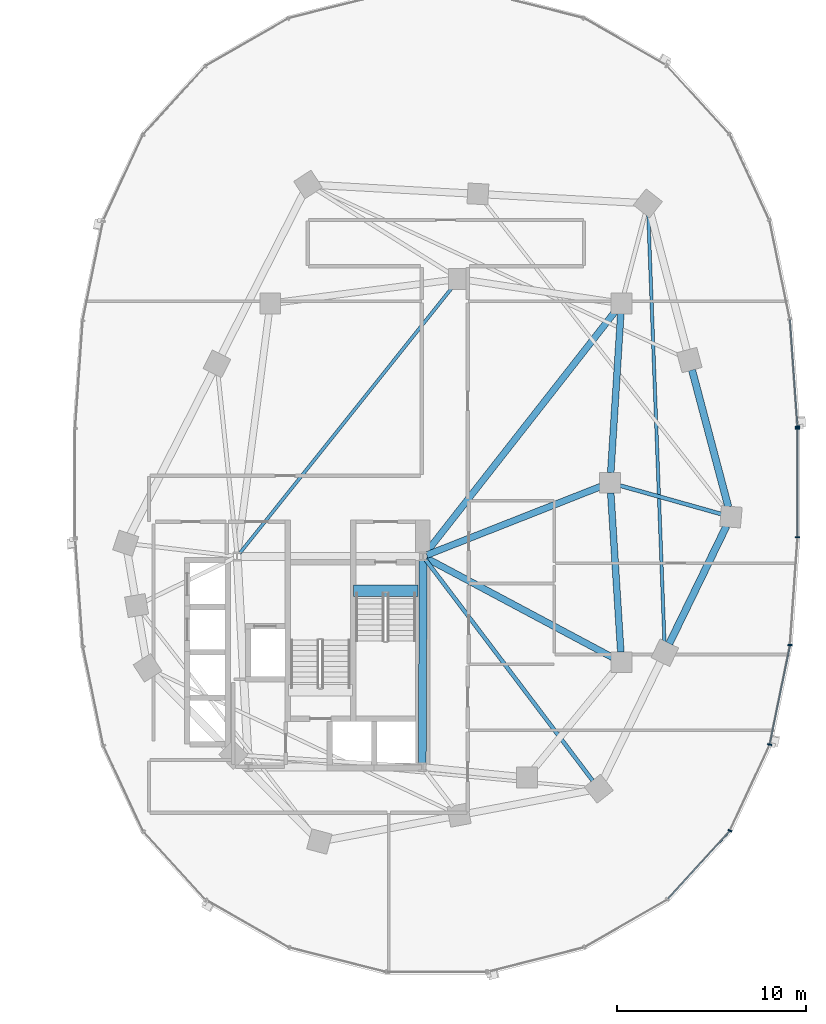
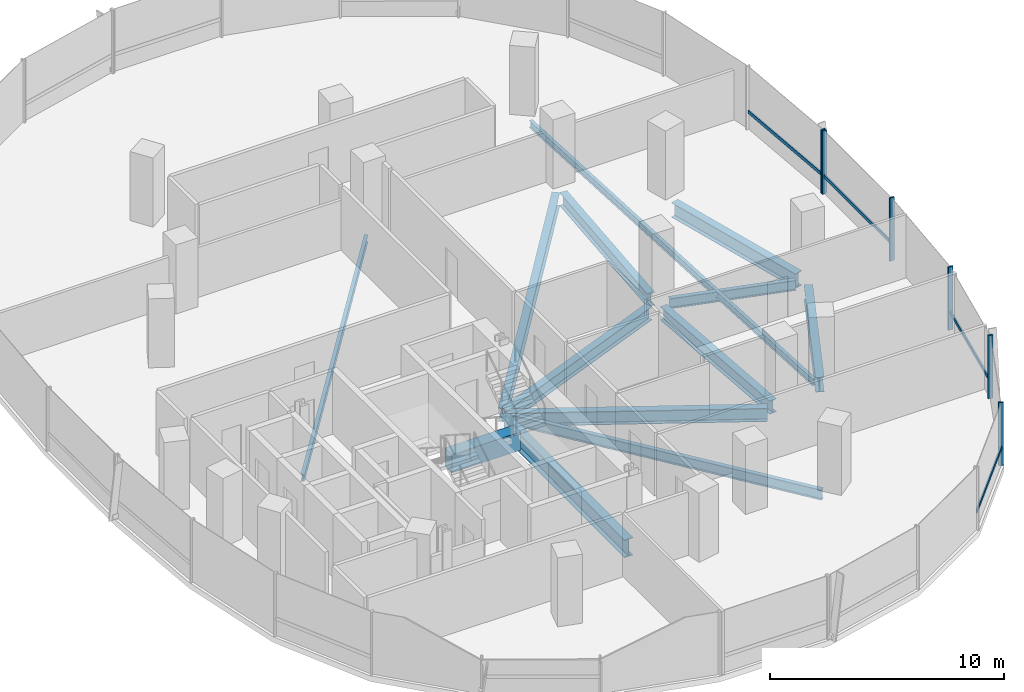
# One storey, part 6 of 21: 13 beams, 10 members, 2 elements without a shape of their own.
"""IFC4 building model written with IfcOpenShell, lengths in metres."""

from ifc_helpers import new_model, si_unit, direction, frame, origin, origin_2d, place, context, subcontext, project, spatial, rectangle, i_section, extrude, material, material_profile, profile_set, type_object, element, aggregate, save


model = new_model("IFC4")

# Units and contexts
model_context = context("Model", 3, precision=1e-05, world=origin(), true_north=direction((0.0, 1.0)))
body_context = subcontext(model_context, "Body", "Model", "MODEL_VIEW")
ifc_project = project(units=[si_unit("LENGTHUNIT", "METRE"), si_unit("AREAUNIT", "SQUARE_METRE"), si_unit("VOLUMEUNIT", "CUBIC_METRE"), si_unit("PLANEANGLEUNIT", "RADIAN"), si_unit("MASSUNIT", "GRAM", prefix="KILO"), si_unit("THERMODYNAMICTEMPERATUREUNIT", "KELVIN"), si_unit("POWERUNIT", "WATT")], contexts=[model_context])

# Site, building, storey
site_placement = place(None, origin())
site = spatial("IfcSite", under=ifc_project, at=site_placement, CompositionType="ELEMENT")
building_placement = place(site_placement, origin())
building = spatial("IfcBuilding", under=site, at=building_placement, Name="Cundina Bronze Exchange", CompositionType="ELEMENT")
storey_placement = place(building_placement, frame((0.0, 0.0, 99.800048828125)))
storey = spatial("IfcBuildingStorey", under=building, at=storey_placement, Name="L25", CompositionType="ELEMENT", Elevation=99.800048828125)

# Beams
ifc_material_1 = material(Name="Concrete C60/75", Category="concrete")
ifc_material_profile_1 = material_profile(ifc_material_1, rectangle(XDim=0.60009765625, YDim=0.949951171875, at=origin_2d()), Name="RC600X950", Category="concrete")
ifc_profile_set_1 = profile_set([ifc_material_profile_1], Name="Concrete C60/75")
beam_type_1 = type_object("IfcBeamType", Name="BM-COUP-RC950", PredefinedType="LINTEL", material=ifc_profile_set_1)
beam_1_placement = place(storey_placement, frame((27.6201171875, -5.719970703125, -0.47509765625), z_axis=(1.0, 0.0, 0.0), x_axis=(0.0, 1.0, 0.0)))
element("IfcBeam", 1, at=beam_1_placement, inside=storey, type_object=beam_type_1, Name="L25 Stair E1 Landing Header Beam", PredefinedType="LINTEL", context=body_context, shape_type="SweptSolid", body=[
    extrude(rectangle(XDim=0.60009765625, YDim=0.949951171875, at=origin_2d()), origin(), (0.0, 0.0, 1.0), 3.39990234375),
])
ifc_material_2 = material(Name="Steel ASTM A992 Grade 50", Category="steel")
ifc_material_profile_2 = material_profile(ifc_material_2, i_section(OverallWidth=0.2099609375, OverallDepth=0.532958984375, WebThickness=0.01025390625, FlangeThickness=0.015625, FilletRadius=0.013916015625, at=origin_2d()), Name="W21X62", Category="steel")
ifc_profile_set_2 = profile_set([ifc_material_profile_2], Name="Steel ASTM A992 Grade 50")
beam_type_2 = type_object("IfcBeamType", Name="BM-FLR-W21B", PredefinedType="BEAM", material=ifc_profile_set_2)
beam_2_placement = place(storey_placement, frame((31.423095703125, -4.062744140625, -0.566650390625), z_axis=(0.603095885041, -0.797668699052, 0.0), x_axis=(0.797668699052, 0.603095885041, 0.0)))
element("IfcBeam", 2, at=beam_2_placement, inside=storey, type_object=beam_type_2, Name="L25 Leg E Chordal Floor Beam 06", PredefinedType="BEAM", context=body_context, shape_type="SweptSolid", body=[
    extrude(i_section(OverallWidth=0.2099609375, OverallDepth=0.532958984375, WebThickness=0.01025390625, FlangeThickness=0.015625, FilletRadius=0.013916015625, at=origin_2d()), origin(), (0.0, 0.0, 1.0), 14.677978515625),
])
beam_3_placement = place(storey_placement, frame((41.718017578125, -0.145751953125, -0.566650390625), z_axis=(0.962654865541, -0.270731619598, 0.0), x_axis=(0.270731619598, 0.962654865541, 0.0)))
element("IfcBeam", 3, at=beam_3_placement, inside=storey, type_object=beam_type_2, Name="L25 Leg E Chordal Floor Beam 08", PredefinedType="BEAM", context=body_context, shape_type="SweptSolid", body=[
    extrude(i_section(OverallWidth=0.2099609375, OverallDepth=0.532958984375, WebThickness=0.01025390625, FlangeThickness=0.015625, FilletRadius=0.013916015625, at=origin_2d()), origin(), (0.0, 0.0, 1.0), 5.572021484375),
])
ifc_material_profile_3 = material_profile(ifc_material_2, i_section(OverallWidth=0.172119140625, OverallDepth=0.35791015625, WebThickness=0.0078125, FlangeThickness=0.01318359375, FilletRadius=0.010009765625, at=origin_2d()), Name="W14X38", Category="steel")
ifc_profile_set_3 = profile_set([ifc_material_profile_3], Name="Steel ASTM A992 Grade 50")
beam_type_3 = type_object("IfcBeamType", Name="BM-JST-W14", PredefinedType="JOIST", material=ifc_profile_set_3)
beam_4_placement = place(storey_placement, frame((21.577392578125, -3.740478515625, -0.47900390625), z_axis=(0.62436887964, 0.781129632095, 0.0), x_axis=(-0.781129632095, 0.62436887964, 0.0)))
element("IfcBeam", 4, at=beam_4_placement, inside=storey, type_object=beam_type_3, Name="L25 E Interior Core-to-Ring Joist 2", PredefinedType="JOIST", context=body_context, shape_type="SweptSolid", body=[
    extrude(i_section(OverallWidth=0.172119140625, OverallDepth=0.35791015625, WebThickness=0.0078125, FlangeThickness=0.01318359375, FilletRadius=0.010009765625, at=origin_2d()), origin(), (0.0, 0.0, 1.0), 18.076904296875),
])
beam_5_placement = place(storey_placement, frame((44.07958984375, -8.46240234375, -0.47900390625), z_axis=(-0.03778951385, 0.999285721224, 0.0), x_axis=(-0.999285721224, -0.03778951385, 0.0)))
element("IfcBeam", 5, at=beam_5_placement, inside=storey, type_object=beam_type_3, Name="L25 Leg E Lobe Floor Joist 07-10", PredefinedType="JOIST", context=body_context, shape_type="SweptSolid", body=[
    extrude(i_section(OverallWidth=0.172119140625, OverallDepth=0.35791015625, WebThickness=0.0078125, FlangeThickness=0.01318359375, FilletRadius=0.010009765625, at=origin_2d()), origin(), (0.0, 0.0, 1.0), 22.7412109375),
])
ifc_material_profile_4 = material_profile(ifc_material_2, i_section(OverallWidth=0.35498046875, OverallDepth=0.695068359375, WebThickness=0.015380859375, FlangeThickness=0.02490234375, FilletRadius=0.01806640625, at=origin_2d()), Name="W27X146", Category="steel")
ifc_profile_set_4 = profile_set([ifc_material_profile_4], Name="Steel ASTM A992 Grade 50")
beam_type_4 = type_object("IfcBeamType", Name="BM-RING-W27", PredefinedType="USERDEFINED", material=ifc_profile_set_4)
for number, where, z_axis, x_axis, name in (
    (6, (41.76611328125, -8.963134765625, -0.6474609375), (-0.06303715519, 0.998011180832, 0.0), (-0.998011180832, -0.06303715519, 0.0), "L25 E Inner Structural Ring Girder 03"),
    (7, (41.23388671875, 0.536865234375, -0.6474609375), (0.06303715519, 0.998011180832, 0.0), (-0.998011180832, 0.06303715519, 0.0), "L25 E Inner Structural Ring Girder 04"),
):
    element("IfcBeam", number, at=place(storey_placement, frame(where, z_axis=z_axis, x_axis=x_axis)), inside=storey, type_object=beam_type_4, Name=name, ObjectType="GIRDER", PredefinedType="USERDEFINED", context=body_context, shape_type="SweptSolid", body=[
        extrude(i_section(OverallWidth=0.35498046875, OverallDepth=0.695068359375, WebThickness=0.015380859375, FlangeThickness=0.02490234375, FilletRadius=0.01806640625, at=origin_2d()), origin(), (0.0, 0.0, 1.0), 8.443115234375),
    ])
beam_6_placement = place(storey_placement, frame((31.48974609375, -3.8251953125, -0.6474609375), z_axis=(0.930413235418, 0.366512225388, 0.0), x_axis=(-0.366512225388, 0.930413235418, 0.0)))
element("IfcBeam", 8, at=beam_6_placement, inside=storey, type_object=beam_type_4, Name="L25 E Core-to-Waist Tie Beam 1", ObjectType="GIRDER", PredefinedType="USERDEFINED", context=body_context, shape_type="SweptSolid", body=[
    extrude(i_section(OverallWidth=0.35498046875, OverallDepth=0.695068359375, WebThickness=0.015380859375, FlangeThickness=0.02490234375, FilletRadius=0.01806640625, at=origin_2d()), origin(), (0.0, 0.0, 1.0), 9.8984375),
])
beam_7_placement = place(storey_placement, frame((31.47998046875, -3.99609375, -0.6474609375), z_axis=(0.882354758239, -0.470584828286, 0.0), x_axis=(0.470584828286, 0.882354758239, 0.0)))
element("IfcBeam", 9, at=beam_7_placement, inside=storey, type_object=beam_type_4, Name="L25 E Core-to-Waist Tie Beam 2", ObjectType="GIRDER", PredefinedType="USERDEFINED", context=body_context, shape_type="SweptSolid", body=[
    extrude(i_section(OverallWidth=0.35498046875, OverallDepth=0.695068359375, WebThickness=0.015380859375, FlangeThickness=0.02490234375, FilletRadius=0.01806640625, at=origin_2d()), origin(), (0.0, 0.0, 1.0), 11.157958984375),
])
beam_8_placement = place(storey_placement, frame((31.42578125, -3.739501953125, -0.6474609375), z_axis=(0.616789275748, 0.787128318206, 0.0), x_axis=(-0.787128318206, 0.616789275748, 0.0)))
element("IfcBeam", 10, at=beam_8_placement, inside=storey, type_object=beam_type_4, Name="L25 E Core-to-Waist Tie Beam 3", ObjectType="GIRDER", PredefinedType="USERDEFINED", context=body_context, shape_type="SweptSolid", body=[
    extrude(i_section(OverallWidth=0.35498046875, OverallDepth=0.695068359375, WebThickness=0.015380859375, FlangeThickness=0.02490234375, FilletRadius=0.01806640625, at=origin_2d()), origin(), (0.0, 0.0, 1.0), 16.281982421875),
])
ifc_material_profile_5 = material_profile(ifc_material_2, i_section(OverallWidth=0.381103515625, OverallDepth=0.77294921875, WebThickness=0.0166015625, FlangeThickness=0.027099609375, FilletRadius=0.01904296875, at=origin_2d()), Name="W30X173", Category="steel")
ifc_profile_set_5 = profile_set([ifc_material_profile_5], Name="Steel ASTM A992 Grade 50")
beam_type_5 = type_object("IfcBeamType", Name="BM-RING-W30", PredefinedType="USERDEFINED", material=ifc_profile_set_5)
beam_9_placement = place(storey_placement, frame((44.335205078125, -8.51611328125, -0.6865234375), z_axis=(0.437193894283, 0.899367276924, 0.0), x_axis=(-0.899367276924, 0.437193894283, 0.0)))
element("IfcBeam", 11, at=beam_9_placement, inside=storey, type_object=beam_type_5, Name="L25 E Perimeter Ring Girder 07", ObjectType="GIRDER", PredefinedType="USERDEFINED", context=body_context, shape_type="SweptSolid", body=[
    extrude(i_section(OverallWidth=0.381103515625, OverallDepth=0.77294921875, WebThickness=0.0166015625, FlangeThickness=0.027099609375, FilletRadius=0.01904296875, at=origin_2d()), origin(), (0.0, 0.0, 1.0), 6.929443359375),
])
beam_10_placement = place(storey_placement, frame((47.462158203125, -1.280029296875, -0.6865234375), z_axis=(-0.256209719931, 0.966621218168, 0.0), x_axis=(-0.966621218168, -0.256209719931, 0.0)))
element("IfcBeam", 12, at=beam_10_placement, inside=storey, type_object=beam_type_5, Name="L25 E Perimeter Ring Girder 08", ObjectType="GIRDER", PredefinedType="USERDEFINED", context=body_context, shape_type="SweptSolid", body=[
    extrude(i_section(OverallWidth=0.381103515625, OverallDepth=0.77294921875, WebThickness=0.0166015625, FlangeThickness=0.027099609375, FilletRadius=0.01904296875, at=origin_2d()), origin(), (0.0, 0.0, 1.0), 7.5107421875),
])
ifc_material_profile_6 = material_profile(ifc_material_2, i_section(OverallWidth=0.41796875, OverallDepth=0.927001953125, WebThickness=0.019287109375, FlangeThickness=0.031982421875, FilletRadius=0.02392578125, at=origin_2d()), Name="W36X231", Category="steel")
ifc_profile_set_6 = profile_set([ifc_material_profile_6], Name="Steel ASTM A992 Grade 50")
beam_type_6 = type_object("IfcBeamType", Name="BM-WRN-W36B", PredefinedType="USERDEFINED", material=ifc_profile_set_6)
beam_11_placement = place(storey_placement, frame((31.2509765625, -14.845947265625, -0.763427734375), z_axis=(0.004477329608, 0.99998997671, 0.0), x_axis=(-0.99998997671, 0.004477329608, 0.0)))
element("IfcBeam", 13, at=beam_11_placement, inside=storey, type_object=beam_type_6, Name="L25 E Core Perimeter Tie Girder 4", ObjectType="GIRDER", PredefinedType="USERDEFINED", context=body_context, shape_type="SweptSolid", body=[
    extrude(i_section(OverallWidth=0.41796875, OverallDepth=0.927001953125, WebThickness=0.019287109375, FlangeThickness=0.031982421875, FilletRadius=0.02392578125, at=origin_2d()), origin(), (0.0, 0.0, 1.0), 10.741943359375),
])

# Curtain wall, member
ifc_material_3 = material(Name="Anodised Bronze Aluminium 6063-T6", Category="aluminium")
curtain_wall_type = type_object("IfcCurtainWallType", Name="CWS-TRD-MID", PredefinedType="NOTDEFINED", material=ifc_material_3)
curtain_wall_1_placement = place(storey_placement, origin())
curtain_wall_1 = element("IfcCurtainWall", 14, at=curtain_wall_1_placement, inside=storey, type_object=curtain_wall_type, Name="L25 CW-03 Curtain Wall Run CWR-L25-E1", PredefinedType="NOTDEFINED")
ifc_material_profile_7 = material_profile(ifc_material_3, rectangle(XDim=0.074951171875, YDim=0.219970703125, at=origin_2d()), Name="AL75X220", Category="aluminium")
ifc_profile_set_7 = profile_set([ifc_material_profile_7], Name="Anodised Bronze Aluminium 6063-T6")
member_type_1 = type_object("IfcMemberType", Name="CWM-MUL-220", PredefinedType="MULLION", material=ifc_profile_set_7)
member_1_placement = place(storey_placement, frame((51.12451171875, 2.976318359375, 0.0), z_axis=(0.0, 0.0, 1.0), x_axis=(-0.070278787473, 0.997527389113, 0.0)))
member_1 = element("IfcMember", 15, at=member_1_placement, type_object=member_type_1, Name="CW-03 Mullion 1", PredefinedType="MULLION", context=body_context, shape_type="SweptSolid", body=[
    extrude(rectangle(XDim=0.074951171875, YDim=0.219970703125, at=origin_2d()), origin(), (0.0, 0.0, 1.0), 3.300048828125),
])

# Curtain wall, members
curtain_wall_2_placement = place(storey_placement, origin())
curtain_wall_2 = element("IfcCurtainWall", 16, at=curtain_wall_2_placement, inside=storey, type_object=curtain_wall_type, Name="L25 CW-03 Curtain Wall Run CWR-L25-E4", PredefinedType="NOTDEFINED")
member_2_placement = place(storey_placement, frame((47.544189453125, -18.423583984375, 0.0), z_axis=(0.0, 0.0, 1.0), x_axis=(0.42087749791, 0.907117485088, 0.0)))
member_2 = element("IfcMember", 17, at=member_2_placement, type_object=member_type_1, Name="CW-03 Mullion 4", PredefinedType="MULLION", context=body_context, shape_type="SweptSolid", body=[
    extrude(rectangle(XDim=0.074951171875, YDim=0.219970703125, at=origin_2d()), origin(), (0.0, 0.0, 1.0), 3.300048828125),
])
member_3_placement = place(storey_placement, frame((49.651123046875, -13.861328125, 0.0), z_axis=(0.0, 0.0, 1.0), x_axis=(0.201419845156, 0.979505000486, 0.0)))
member_3 = element("IfcMember", 18, at=member_3_placement, type_object=member_type_1, Name="CW-03 Mullion 5", PredefinedType="MULLION", context=body_context, shape_type="SweptSolid", body=[
    extrude(rectangle(XDim=0.074951171875, YDim=0.219970703125, at=origin_2d()), origin(), (0.0, 0.0, 1.0), 3.300048828125),
])
member_4_placement = place(storey_placement, frame((50.72900390625, -8.591552734375, 0.0), z_axis=(0.0, 0.0, 1.0), x_axis=(0.070278787473, 0.997527389113, 0.0)))
member_4 = element("IfcMember", 19, at=member_4_placement, type_object=member_type_1, Name="CW-03 Mullion 6", PredefinedType="MULLION", context=body_context, shape_type="SweptSolid", body=[
    extrude(rectangle(XDim=0.074951171875, YDim=0.219970703125, at=origin_2d()), origin(), (0.0, 0.0, 1.0), 3.300048828125),
])
member_5_placement = place(storey_placement, frame((51.1279296875, -2.880615234375, 0.0), z_axis=(0.0, 0.0, 1.0), x_axis=(0.0, 1.0, 0.0)))
member_5 = element("IfcMember", 20, at=member_5_placement, type_object=member_type_1, Name="CW-03 Mullion 7", PredefinedType="MULLION", context=body_context, shape_type="SweptSolid", body=[
    extrude(rectangle(XDim=0.074951171875, YDim=0.219970703125, at=origin_2d()), origin(), (0.0, 0.0, 1.0), 3.300048828125),
])
member_6_placement = place(storey_placement, frame((51.1279296875, 2.880615234375, 0.0), z_axis=(0.0, 0.0, 1.0), x_axis=(0.0, 1.0, 0.0)))
member_6 = element("IfcMember", 21, at=member_6_placement, type_object=member_type_1, Name="CW-03 End Mullion", PredefinedType="MULLION", context=body_context, shape_type="SweptSolid", body=[
    extrude(rectangle(XDim=0.074951171875, YDim=0.219970703125, at=origin_2d()), origin(), (0.0, 0.0, 1.0), 3.300048828125),
])

# Member
ifc_material_profile_8 = material_profile(ifc_material_3, rectangle(XDim=0.070068359375, YDim=0.179931640625, at=origin_2d()), Name="AL70X180", Category="aluminium")
ifc_profile_set_8 = profile_set([ifc_material_profile_8], Name="Anodised Bronze Aluminium 6063-T6")
member_type_2 = type_object("IfcMemberType", Name="CWM-TRN-180", PredefinedType="USERDEFINED", material=ifc_profile_set_8)
member_7_placement = place(storey_placement, frame((51.12158203125, 3.017333984375, 0.919921875), z_axis=(-0.070260714471, 0.997528662246, 0.0), x_axis=(-0.997528662246, -0.070260714471, 0.0)))
member_7 = element("IfcMember", 22, at=member_7_placement, type_object=member_type_2, Name="CW-03 Spandrel Transom 1", ObjectType="TRANSOM", PredefinedType="USERDEFINED", context=body_context, shape_type="SweptSolid", body=[
    extrude(rectangle(XDim=0.070068359375, YDim=0.179931640625, at=origin_2d()), origin(), (0.0, 0.0, 1.0), 5.629150390625),
])

aggregate(curtain_wall_1, [member_1, member_7])

member_8_placement = place(storey_placement, frame((44.26708984375, -22.027099609375, 0.919921875), z_axis=(0.674302794847, 0.738454968743, 0.0), x_axis=(-0.738454968743, 0.674302794847, 0.0)))
member_8 = element("IfcMember", 23, at=member_8_placement, type_object=member_type_2, Name="CW-03 Spandrel Transom 3", ObjectType="TRANSOM", PredefinedType="USERDEFINED", context=body_context, shape_type="SweptSolid", body=[
    extrude(rectangle(XDim=0.070068359375, YDim=0.179931640625, at=origin_2d()), origin(), (0.0, 0.0, 1.0), 4.848388671875),
])

member_9_placement = place(storey_placement, frame((49.659423828125, -13.821044921875, 0.919921875), z_axis=(0.201427712708, 0.979503382615, 0.0), x_axis=(-0.979503382615, 0.201427712708, 0.0)))
member_9 = element("IfcMember", 24, at=member_9_placement, type_object=member_type_2, Name="CW-03 Spandrel Transom 5", ObjectType="TRANSOM", PredefinedType="USERDEFINED", context=body_context, shape_type="SweptSolid", body=[
    extrude(rectangle(XDim=0.070068359375, YDim=0.179931640625, at=origin_2d()), origin(), (0.0, 0.0, 1.0), 5.291748046875),
])

member_10_placement = place(storey_placement, frame((51.1279296875, -2.839111328125, 0.919921875), z_axis=(0.0, 1.0, 0.0), x_axis=(-1.0, 0.0, 0.0)))
member_10 = element("IfcMember", 25, at=member_10_placement, type_object=member_type_2, Name="CW-03 Spandrel Transom 7", ObjectType="TRANSOM", PredefinedType="USERDEFINED", context=body_context, shape_type="SweptSolid", body=[
    extrude(rectangle(XDim=0.070068359375, YDim=0.179931640625, at=origin_2d()), origin(), (0.0, 0.0, 1.0), 5.67822265625),
])

aggregate(curtain_wall_2, [member_8, member_2, member_3, member_9, member_4, member_5, member_6, member_10])

save(model, "model.ifc")
